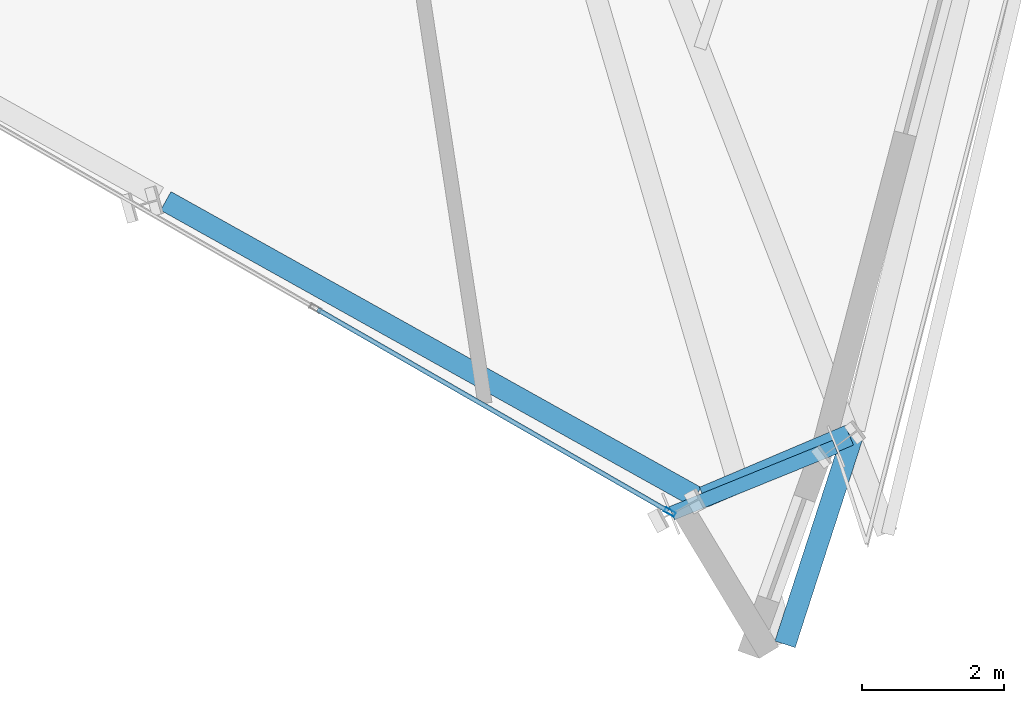
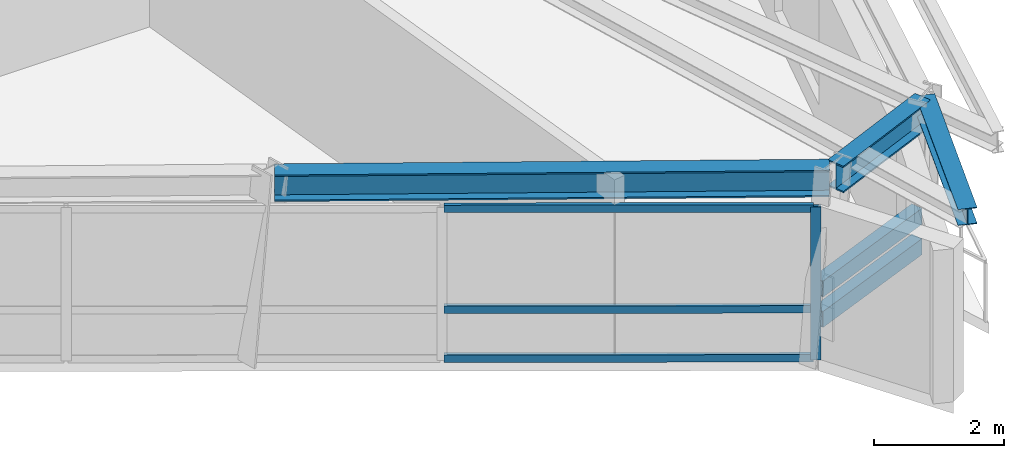
# One storey, part 3 of 13: 6 members, 3 beams, 1 element without a shape of its own.
"""IFC4 building model written with IfcOpenShell, lengths in metres."""

from ifc_helpers import new_model, si_unit, direction, frame, origin, origin_2d, place, context, subcontext, project, spatial, hollow_rectangle, i_section, extrude, source, transform, mapped, material, material_profile, profile_set, type_object, element, aggregate, save


model = new_model("IFC4")

# Units and contexts
model_context = context("Model", 3, precision=1e-05, world=origin(), true_north=direction((0.0, 1.0)))
body_context = subcontext(model_context, "Body", "Model", "MODEL_VIEW")
ifc_project = project(units=[si_unit("LENGTHUNIT", "METRE"), si_unit("AREAUNIT", "SQUARE_METRE"), si_unit("VOLUMEUNIT", "CUBIC_METRE"), si_unit("PLANEANGLEUNIT", "RADIAN"), si_unit("MASSUNIT", "GRAM", prefix="KILO")], contexts=[model_context])

# Site, building, storey
site_placement = place(None, origin())
site = spatial("IfcSite", under=ifc_project, at=site_placement, CompositionType="ELEMENT")
building_placement = place(site_placement, origin())
building = spatial("IfcBuilding", under=site, at=building_placement, Name="Olszyna Solenne Hotel", CompositionType="ELEMENT")
storey_placement = place(building_placement, frame((0.0, 0.0, 263.300048828125)))
storey = spatial("IfcBuildingStorey", under=building, at=storey_placement, Name="L70", CompositionType="ELEMENT", Elevation=263.300048828125)

# Beams
ifc_material_1 = material(Name="Steel S355J2", Category="steel")
ifc_material_profile_1 = material_profile(ifc_material_1, i_section(OverallWidth=0.300048828125, OverallDepth=0.5, WebThickness=0.014404296875, FlangeThickness=0.028076171875, at=origin_2d()), Name="HEB 500", Category="load-bearing")
ifc_profile_set_1 = profile_set([ifc_material_profile_1], Name="Steel S355J2")
beam_type_1 = type_object("IfcBeamType", Name="BM-S3", PredefinedType="BEAM", material=ifc_profile_set_1)
shared_shape_1 = source(origin(), body_context, "Body", "SweptSolid", [
    extrude(i_section(OverallWidth=0.300048828125, OverallDepth=0.5, WebThickness=0.014404296875, FlangeThickness=0.028076171875, at=origin_2d()), origin(), (0.0, 0.0, 1.0), 8.523681640625),
])
beam_1_placement = place(storey_placement, frame((36.686279296875, 8.656005859375, 3.1298828125), z_axis=(0.873265444426, -0.487244767618, 0.0), x_axis=(0.487244767618, 0.873265444426, 0.0)))
element("IfcBeam", 1, at=beam_1_placement, inside=storey, type_object=beam_type_1, Name="Perimeter spandrel beam BM-S3 B-L70-2061", PredefinedType="BEAM", context=body_context, shape_type="MappedRepresentation", body=[
    mapped(shared_shape_1, transform((0.0, 0.0, 0.0), x_axis=(1.0, 0.0, 0.0), y_axis=(0.0, 1.0, 0.0), z_axis=(0.0, 0.0, 1.0), scale=1.0)),
])
shared_shape_2 = source(origin(), body_context, "Body", "SweptSolid", [
    extrude(i_section(OverallWidth=0.300048828125, OverallDepth=0.5, WebThickness=0.014404296875, FlangeThickness=0.028076171875, at=origin_2d()), origin(), (0.0, 0.0, 1.0), 2.2236328125),
])
beam_2_placement = place(storey_placement, frame((44.2373046875, 4.497314453125, 3.1298828125), z_axis=(0.920496831446, 0.390750026612, 0.0), x_axis=(-0.390750026612, 0.920496831446, 0.0)))
element("IfcBeam", 2, at=beam_2_placement, inside=storey, type_object=beam_type_1, Name="Perimeter spandrel beam BM-S3 B-L70-2062", PredefinedType="BEAM", context=body_context, shape_type="MappedRepresentation", body=[
    mapped(shared_shape_2, transform((0.0, 0.0, 0.0), x_axis=(1.0, 0.0, 0.0), y_axis=(0.0, 1.0, 0.0), z_axis=(0.0, 0.0, 1.0), scale=1.0)),
])
ifc_material_profile_2 = material_profile(ifc_material_1, i_section(OverallWidth=0.300048828125, OverallDepth=0.31005859375, WebThickness=0.009033203125, FlangeThickness=0.015380859375, at=origin_2d()), Name="HEA 320", Category="load-bearing")
ifc_profile_set_2 = profile_set([ifc_material_profile_2], Name="Steel S355J2")
beam_type_2 = type_object("IfcBeamType", Name="BM-G3", PredefinedType="BEAM", material=ifc_profile_set_2)
shared_shape_3 = source(origin(), body_context, "Body", "SweptSolid", [
    extrude(i_section(OverallWidth=0.300048828125, OverallDepth=0.31005859375, WebThickness=0.009033203125, FlangeThickness=0.015380859375, at=origin_2d()), origin(), (0.0, 0.0, 1.0), 3.110595703125),
])
beam_3_placement = place(storey_placement, frame((46.339599609375, 5.3896484375, 3.224853515625), z_axis=(-0.307903872404, -0.951417471649, 0.0), x_axis=(0.951417471649, -0.307903872404, 0.0)))
element("IfcBeam", 3, at=beam_3_placement, inside=storey, type_object=beam_type_2, Name="Prism side edge beam BM-G3 B-L70-2075", PredefinedType="BEAM", context=body_context, shape_type="MappedRepresentation", body=[
    mapped(shared_shape_3, transform((0.0, 0.0, 0.0), x_axis=(1.0, 0.0, 0.0), y_axis=(0.0, 1.0, 0.0), z_axis=(0.0, 0.0, 1.0), scale=1.0)),
])

# Members
ifc_material_profile_3 = material_profile(ifc_material_1, hollow_rectangle(XDim=0.199951171875, YDim=0.300048828125, WallThickness=0.01611328125, at=origin_2d()), Name="RHS 300x200x16", Category="load-bearing")
ifc_profile_set_3 = profile_set([ifc_material_profile_3], Name="Steel S355J2")
member_type_1 = type_object("IfcMemberType", Name="CH-PR1", PredefinedType="CHORD", material=ifc_profile_set_3)
shared_shape_4 = source(origin(), body_context, "Body", "SweptSolid", [
    extrude(hollow_rectangle(XDim=0.199951171875, YDim=0.300048828125, WallThickness=0.01611328125, at=origin_2d()), origin(), (0.0, 0.0, 1.0), 2.47509765625),
])
for number, where, z_axis, x_axis, name in (
    (4, (43.79248046875, 4.2705078125, 1.349853515625), (0.926532130606, 0.376215644217, 0.0), (-0.376215644217, 0.926532130606, 0.0), "Glass-prism tie chord CH-PR1 M-L70-PR1"),
    (5, (43.79248046875, 4.2705078125, 0.780029296875), (0.926532130606, 0.376215644217, 0.0), (-0.376215644217, 0.926532130606, 0.0), "Glass-prism tie chord CH-PR1 M-L70-PR2"),
):
    element("IfcMember", number, at=place(storey_placement, frame(where, z_axis=z_axis, x_axis=x_axis)), inside=storey, type_object=member_type_1, Name=name, PredefinedType="CHORD", context=body_context, shape_type="MappedRepresentation", body=[
        mapped(shared_shape_4, transform((0.0, 0.0, 0.0), x_axis=(1.0, 0.0, 0.0), y_axis=(0.0, 1.0, 0.0), z_axis=(0.0, 0.0, 1.0), scale=1.0)),
    ])

# Curtain wall, members
ifc_material_2 = material(Name="Anodised bronze aluminium", Category="aluminium")
curtain_wall_type = type_object("IfcCurtainWallType", Name="CW-SYS-4", PredefinedType="NOTDEFINED", material=ifc_material_2)
curtain_wall_placement = place(storey_placement, origin())
curtain_wall = element("IfcCurtainWall", 6, at=curtain_wall_placement, inside=storey, type_object=curtain_wall_type, Name="Unitised curtain wall CW-SYS-4 CW-L70-01", PredefinedType="NOTDEFINED")
ifc_material_profile_4 = material_profile(ifc_material_2, hollow_rectangle(XDim=0.06494140625, YDim=0.159912109375, WallThickness=0.00390625, at=origin_2d()), Name="MULL 160x65x4", Category="load-bearing")
ifc_profile_set_4 = profile_set([ifc_material_profile_4], Name="Anodised bronze aluminium")
member_type_2 = type_object("IfcMemberType", Name="CW-M3", PredefinedType="MULLION", material=ifc_profile_set_4)
shared_shape_5 = source(origin(), body_context, "Body", "SweptSolid", [
    extrude(hollow_rectangle(XDim=0.06494140625, YDim=0.159912109375, WallThickness=0.00390625, at=origin_2d()), origin(), (0.0, 0.0, 1.0), 2.8720703125),
])
member_1_placement = place(storey_placement, frame((43.76416015625, 4.28662109375, 0.0), z_axis=(0.0, 0.0, 1.0), x_axis=(0.498512566759, 0.866882472301, 0.0)))
member_1 = element("IfcMember", 7, at=member_1_placement, type_object=member_type_2, Name="Curtain-wall mullion CW-M3 CM-L70-01-04", PredefinedType="MULLION", context=body_context, shape_type="MappedRepresentation", body=[
    mapped(shared_shape_5, transform((0.0, 0.0, 0.0), x_axis=(1.0, 0.0, 0.0), y_axis=(0.0, 1.0, 0.0), z_axis=(0.0, 0.0, 1.0), scale=1.0)),
])
ifc_material_profile_5 = material_profile(ifc_material_2, hollow_rectangle(XDim=0.06494140625, YDim=0.139892578125, WallThickness=0.00390625, at=origin_2d()), Name="TRAN 140x65x4", Category="load-bearing")
ifc_profile_set_5 = profile_set([ifc_material_profile_5], Name="Anodised bronze aluminium")
member_type_3 = type_object("IfcMemberType", Name="CW-T2", PredefinedType="USERDEFINED", material=ifc_profile_set_5)
shared_shape_6 = source(origin(), body_context, "Body", "SweptSolid", [
    extrude(hollow_rectangle(XDim=0.06494140625, YDim=0.139892578125, WallThickness=0.00390625, at=origin_2d()), origin(), (0.0, 0.0, 1.0), 5.675048828125),
])
member_2_placement = place(storey_placement, frame((38.81640625, 7.132080078125, 0.032470703125), z_axis=(0.866884459106, -0.498509111812, 0.0), x_axis=(0.498509111812, 0.866884459106, 0.0)))
member_2 = element("IfcMember", 8, at=member_2_placement, type_object=member_type_3, Name="Curtain-wall transom CW-T2 CT-L70-01-07", ObjectType="TRANSOM", PredefinedType="USERDEFINED", context=body_context, shape_type="MappedRepresentation", body=[
    mapped(shared_shape_6, transform((0.0, 0.0, 0.0), x_axis=(1.0, 0.0, 0.0), y_axis=(0.0, 1.0, 0.0), z_axis=(0.0, 0.0, 1.0), scale=1.0)),
])
member_3_placement = place(storey_placement, frame((38.81640625, 7.132080078125, 0.949951171875), z_axis=(0.866884459106, -0.498509111812, 0.0), x_axis=(0.498509111812, 0.866884459106, 0.0)))
member_3 = element("IfcMember", 9, at=member_3_placement, type_object=member_type_3, Name="Curtain-wall transom CW-T2 CT-L70-01-08", ObjectType="TRANSOM", PredefinedType="USERDEFINED", context=body_context, shape_type="MappedRepresentation", body=[
    mapped(shared_shape_6, transform((0.0, 0.0, 0.0), x_axis=(1.0, 0.0, 0.0), y_axis=(0.0, 1.0, 0.0), z_axis=(0.0, 0.0, 1.0), scale=1.0)),
])
member_4_placement = place(storey_placement, frame((38.81640625, 7.132080078125, 2.83935546875), z_axis=(0.866884459106, -0.498509111812, 0.0), x_axis=(0.498509111812, 0.866884459106, 0.0)))
member_4 = element("IfcMember", 10, at=member_4_placement, type_object=member_type_3, Name="Curtain-wall transom CW-T2 CT-L70-01-09", ObjectType="TRANSOM", PredefinedType="USERDEFINED", context=body_context, shape_type="MappedRepresentation", body=[
    mapped(shared_shape_6, transform((0.0, 0.0, 0.0), x_axis=(1.0, 0.0, 0.0), y_axis=(0.0, 1.0, 0.0), z_axis=(0.0, 0.0, 1.0), scale=1.0)),
])
aggregate(curtain_wall, [member_1, member_2, member_3, member_4])

save(model, "model.ifc")
